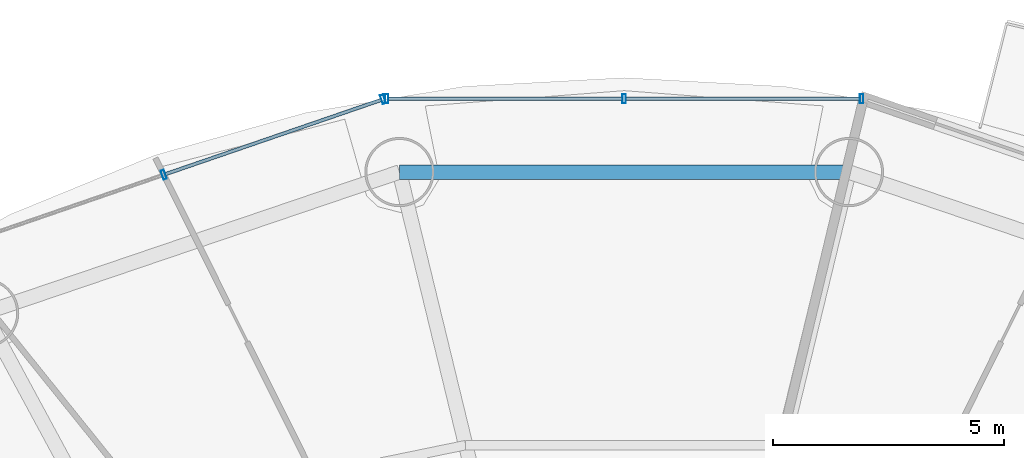
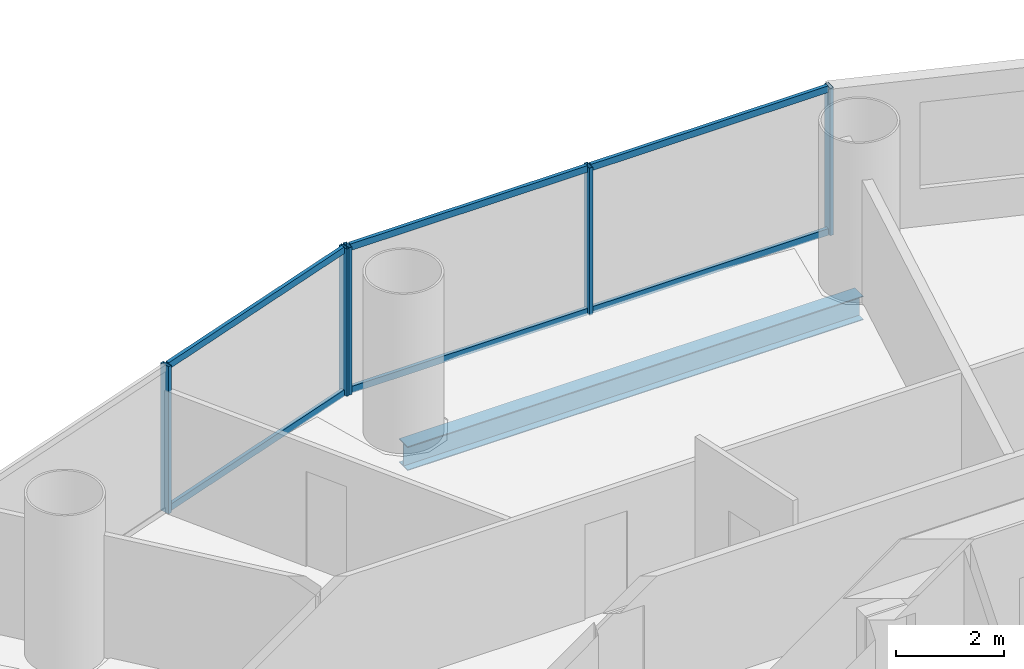
# One storey, part 17 of 28: 11 members, 1 beam, 2 elements without a shape of their own.
"""IFC4 building model written with IfcOpenShell, lengths in metres."""

from ifc_helpers import new_model, si_unit, direction, frame, origin, origin_2d, place, context, subcontext, project, spatial, hollow_rectangle, i_section, extrude, source, transform, mapped, material, material_profile, profile_set, type_object, element, aggregate, save


model = new_model("IFC4")

# Units and contexts
model_context = context("Model", 3, precision=1e-05, world=origin(), true_north=direction((-0.2419218956, 0.970295726276)))
body_context = subcontext(model_context, "Body", "Model", "MODEL_VIEW")
ifc_project = project(units=[si_unit("LENGTHUNIT", "METRE"), si_unit("AREAUNIT", "SQUARE_METRE"), si_unit("VOLUMEUNIT", "CUBIC_METRE"), si_unit("PLANEANGLEUNIT", "RADIAN"), si_unit("MASSUNIT", "GRAM", prefix="KILO")], contexts=[model_context])

# Site, building, storey
site_placement = place(None, origin())
site = spatial("IfcSite", under=ifc_project, at=site_placement, CompositionType="ELEMENT")
building_placement = place(site_placement, origin())
building = spatial("IfcBuilding", under=site, at=building_placement, Name="Cobrevalo Terracotta Tower", CompositionType="ELEMENT")
storey_placement = place(building_placement, frame((0.0, 0.0, 105.0)))
storey = spatial("IfcBuildingStorey", under=building, at=storey_placement, Name="L27", CompositionType="ELEMENT", Elevation=105.0)

# Beam
ifc_material_1 = material(Name="Steel S355", Category="steel")
ifc_material_profile_1 = material_profile(ifc_material_1, i_section(OverallWidth=0.31201171875, OverallDepth=0.54296875, WebThickness=0.0126953125, FlangeThickness=0.020263671875, at=origin_2d()), Name="W 530x150")
ifc_profile_set_1 = profile_set([ifc_material_profile_1], Name="Steel S355")
beam_type = type_object("IfcBeamType", Name="Structural Spandrel W 530x150 (Steel S355)", PredefinedType="SPANDREL", material=ifc_profile_set_1)
beam_placement = place(storey_placement, frame((42.867431640625, 46.857177734375, -0.54638671875), z_axis=(-1.0, 0.0, 0.0), x_axis=(0.0, -1.0, 0.0)))
element("IfcBeam", 1, at=beam_placement, inside=storey, type_object=beam_type, Name="L27 perimeter ring spandrel 04", PredefinedType="SPANDREL", context=body_context, shape_type="SweptSolid", body=[
    extrude(i_section(OverallWidth=0.31201171875, OverallDepth=0.54296875, WebThickness=0.0126953125, FlangeThickness=0.020263671875, at=origin_2d()), origin(), (0.0, 0.0, 1.0), 9.73486328125),
])

# Curtain wall, members
ifc_material_2 = material(Name="Anodized aluminium", Category="aluminium")
curtain_wall_type = type_object("IfcCurtainWallType", Name="Lower-tower unitised acoustic low-E curtain wall CW-U1", PredefinedType="NOTDEFINED", material=ifc_material_2)
curtain_wall_1_placement = place(storey_placement, origin())
curtain_wall_1 = element("IfcCurtainWall", 2, at=curtain_wall_1_placement, inside=storey, type_object=curtain_wall_type, Name="L27 curtain wall CW-L27-S04", PredefinedType="NOTDEFINED")
ifc_material_profile_2 = material_profile(ifc_material_2, hollow_rectangle(XDim=0.074951171875, YDim=0.199951171875, WallThickness=0.0048828125, at=origin_2d()), Name="CWM 75x200")
ifc_profile_set_2 = profile_set([ifc_material_profile_2], Name="Anodized aluminium")
member_type_1 = type_object("IfcMemberType", Name="Lower/mid tower unitised mullion 75x200", PredefinedType="MULLION", material=ifc_profile_set_2)
shared_shape_1 = source(origin(), body_context, "Body", "SweptSolid", [
    extrude(hollow_rectangle(XDim=0.074951171875, YDim=0.199951171875, WallThickness=0.0048828125, at=origin_2d()), origin(), (0.0, 0.0, 1.0), 3.324951171875),
])
member_1_placement = place(storey_placement, frame((43.1435546875, 48.446044921875, 0.0), z_axis=(0.0, 0.0, 1.0), x_axis=(-1.0, 0.0, 0.0)))
member_1 = element("IfcMember", 3, at=member_1_placement, type_object=member_type_1, Name="CW-L27-S04 vertical mullion 01", PredefinedType="MULLION", context=body_context, shape_type="MappedRepresentation", body=[
    mapped(shared_shape_1, transform((0.0, 0.0, 0.0), scale=1.0)),
])
member_2_placement = place(storey_placement, frame((38.0, 48.446044921875, 0.0), z_axis=(0.0, 0.0, 1.0), x_axis=(-1.0, 0.0, 0.0)))
member_2 = element("IfcMember", 4, at=member_2_placement, type_object=member_type_1, Name="CW-L27-S04 vertical mullion 02", PredefinedType="MULLION", context=body_context, shape_type="MappedRepresentation", body=[
    mapped(shared_shape_1, transform((0.0, 0.0, 0.0), scale=1.0)),
])
member_3_placement = place(storey_placement, frame((32.8564453125, 48.446044921875, 0.0), z_axis=(0.0, 0.0, 1.0), x_axis=(-1.0, 0.0, 0.0)))
member_3 = element("IfcMember", 5, at=member_3_placement, type_object=member_type_1, Name="CW-L27-S04 vertical mullion 03", PredefinedType="MULLION", context=body_context, shape_type="MappedRepresentation", body=[
    mapped(shared_shape_1, transform((0.0, 0.0, 0.0), scale=1.0)),
])

curtain_wall_2_placement = place(storey_placement, origin())
curtain_wall_2 = element("IfcCurtainWall", 6, at=curtain_wall_2_placement, inside=storey, type_object=curtain_wall_type, Name="L27 curtain wall CW-L27-S05", PredefinedType="NOTDEFINED")
member_4_placement = place(storey_placement, frame((32.778564453125, 48.432861328125, 0.0), z_axis=(0.0, 0.0, 1.0), x_axis=(-0.94559809868, -0.325337110968, 0.0)))
member_4 = element("IfcMember", 7, at=member_4_placement, type_object=member_type_1, Name="CW-L27-S05 vertical mullion 01", PredefinedType="MULLION", context=body_context, shape_type="MappedRepresentation", body=[
    mapped(shared_shape_1, transform((0.0, 0.0, 0.0), scale=1.0)),
])
member_5_placement = place(storey_placement, frame((28.027587890625, 46.79833984375, 0.0), z_axis=(0.0, 0.0, 1.0), x_axis=(-0.94559809868, -0.325337110968, 0.0)))
member_5 = element("IfcMember", 8, at=member_5_placement, type_object=member_type_1, Name="CW-L27-S05 vertical mullion 02", PredefinedType="MULLION", context=body_context, shape_type="MappedRepresentation", body=[
    mapped(shared_shape_1, transform((0.0, 0.0, 0.0), scale=1.0)),
])
ifc_material_profile_3 = material_profile(ifc_material_2, hollow_rectangle(XDim=0.074951171875, YDim=0.14990234375, WallThickness=0.00439453125, at=origin_2d()), Name="CWT 75x150")
ifc_profile_set_3 = profile_set([ifc_material_profile_3], Name="Anodized aluminium")
member_type_2 = type_object("IfcMemberType", Name="Tower unitised aluminium transom 75x150", PredefinedType="USERDEFINED", material=ifc_profile_set_3)
shared_shape_2 = source(origin(), body_context, "Body", "SweptSolid", [
    extrude(hollow_rectangle(XDim=0.074951171875, YDim=0.14990234375, WallThickness=0.00439453125, at=origin_2d()), origin(), (0.0, 0.0, 1.0), 4.944580078125),
])
member_6_placement = place(storey_placement, frame((32.74072265625, 48.419921875, 0.050048828125), z_axis=(-0.945597859971, -0.32533780478, 0.0), x_axis=(0.32533780478, -0.945597859971, 0.0)))
member_6 = element("IfcMember", 9, at=member_6_placement, type_object=member_type_2, Name="CW-L27-S05 transom B01-T1", ObjectType="TRANSOM", PredefinedType="USERDEFINED", context=body_context, shape_type="MappedRepresentation", body=[
    mapped(shared_shape_2, transform((0.0, 0.0, 0.0), scale=1.0)),
])
member_7_placement = place(storey_placement, frame((32.74072265625, 48.419921875, 3.27490234375), z_axis=(-0.945597859971, -0.32533780478, 0.0), x_axis=(0.32533780478, -0.945597859971, 0.0)))
member_7 = element("IfcMember", 10, at=member_7_placement, type_object=member_type_2, Name="CW-L27-S05 transom B01-T2", ObjectType="TRANSOM", PredefinedType="USERDEFINED", context=body_context, shape_type="MappedRepresentation", body=[
    mapped(shared_shape_2, transform((0.0, 0.0, 0.0), scale=1.0)),
])
aggregate(curtain_wall_2, [member_4, member_5, member_6, member_7])

# Member
shared_shape_3 = source(origin(), body_context, "Body", "SweptSolid", [
    extrude(hollow_rectangle(XDim=0.074951171875, YDim=0.14990234375, WallThickness=0.00439453125, at=origin_2d()), origin(), (0.0, 0.0, 1.0), 5.0634765625),
])
member_8_placement = place(storey_placement, frame((43.103515625, 48.446044921875, 0.050048828125), z_axis=(-1.0, 0.0, 0.0), x_axis=(0.0, -1.0, 0.0)))
member_8 = element("IfcMember", 11, at=member_8_placement, type_object=member_type_2, Name="CW-L27-S04 transom B01-T1", ObjectType="TRANSOM", PredefinedType="USERDEFINED", context=body_context, shape_type="MappedRepresentation", body=[
    mapped(shared_shape_3, transform((0.0, 0.0, 0.0), scale=1.0)),
])

member_9_placement = place(storey_placement, frame((43.103515625, 48.446044921875, 3.27490234375), z_axis=(-1.0, 0.0, 0.0), x_axis=(0.0, -1.0, 0.0)))
member_9 = element("IfcMember", 12, at=member_9_placement, type_object=member_type_2, Name="CW-L27-S04 transom B01-T2", ObjectType="TRANSOM", PredefinedType="USERDEFINED", context=body_context, shape_type="MappedRepresentation", body=[
    mapped(shared_shape_3, transform((0.0, 0.0, 0.0), scale=1.0)),
])

member_10_placement = place(storey_placement, frame((37.9599609375, 48.446044921875, 0.050048828125), z_axis=(-1.0, 0.0, 0.0), x_axis=(0.0, -1.0, 0.0)))
member_10 = element("IfcMember", 13, at=member_10_placement, type_object=member_type_2, Name="CW-L27-S04 transom B02-T1", ObjectType="TRANSOM", PredefinedType="USERDEFINED", context=body_context, shape_type="MappedRepresentation", body=[
    mapped(shared_shape_3, transform((0.0, 0.0, 0.0), scale=1.0)),
])

member_11_placement = place(storey_placement, frame((37.9599609375, 48.446044921875, 3.27490234375), z_axis=(-1.0, 0.0, 0.0), x_axis=(0.0, -1.0, 0.0)))
member_11 = element("IfcMember", 14, at=member_11_placement, type_object=member_type_2, Name="CW-L27-S04 transom B02-T2", ObjectType="TRANSOM", PredefinedType="USERDEFINED", context=body_context, shape_type="MappedRepresentation", body=[
    mapped(shared_shape_3, transform((0.0, 0.0, 0.0), scale=1.0)),
])

aggregate(curtain_wall_1, [member_1, member_2, member_3, member_8, member_9, member_10, member_11])

save(model, "model.ifc")
